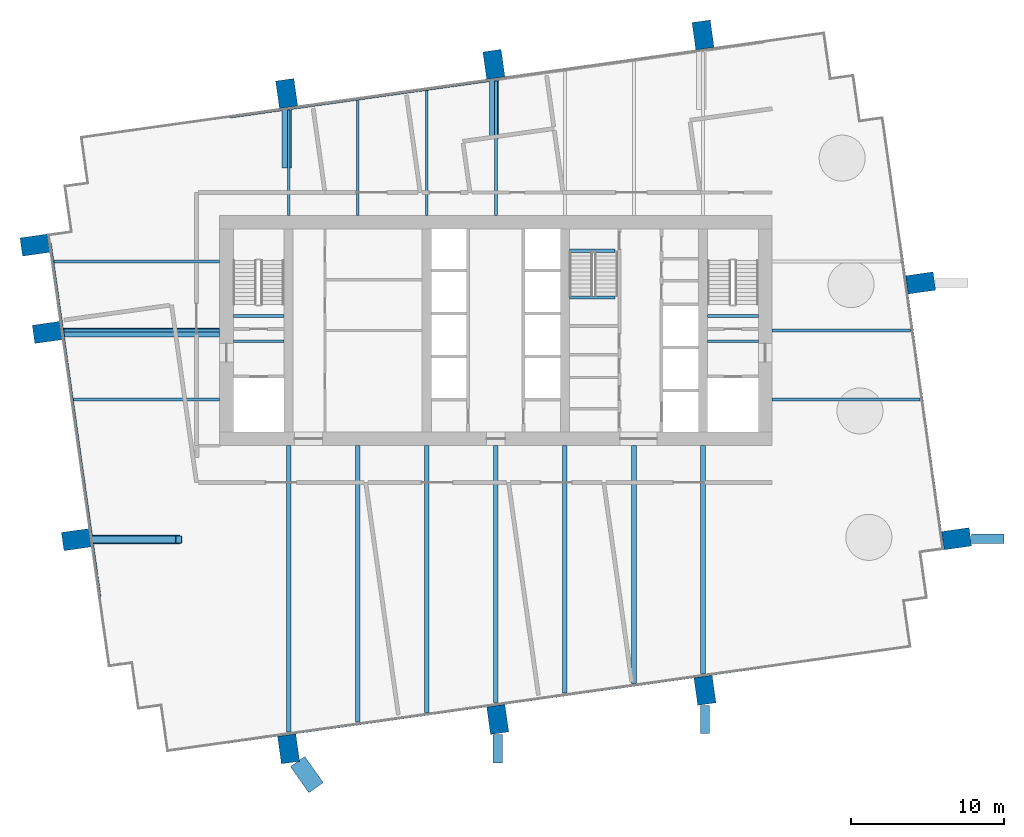
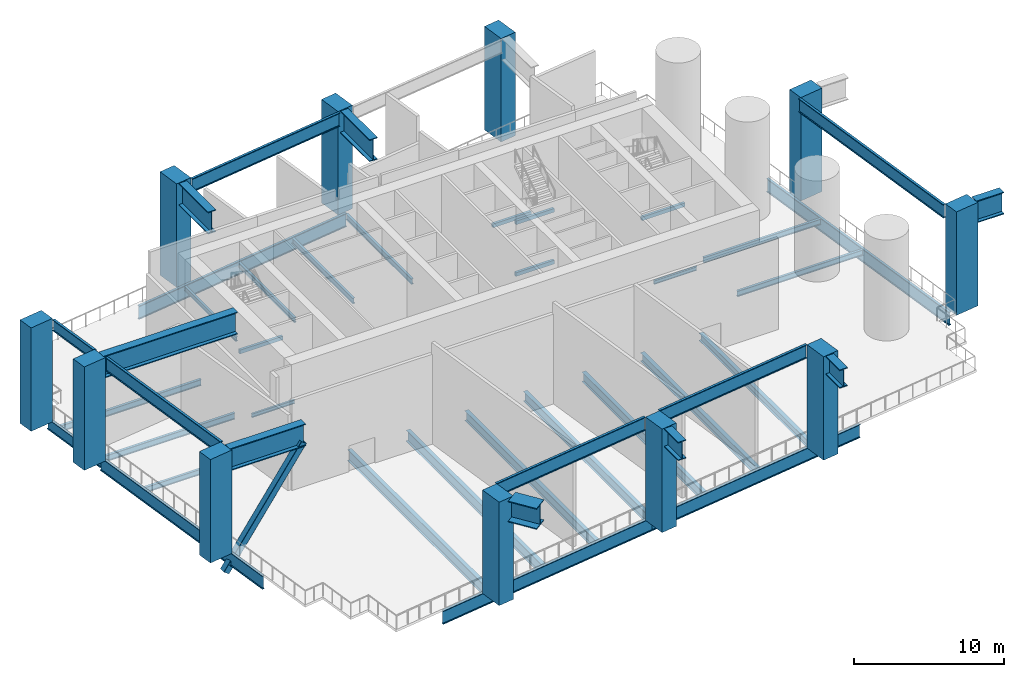
# One storey, part 1 of 13: 43 beams, 11 columns, 1 member.
"""IFC4 building model written with IfcOpenShell, lengths in metres."""

from ifc_helpers import new_model, si_unit, direction, frame, origin, origin_2d, place, context, subcontext, project, spatial, rectangle, hollow_rectangle, i_section, extrude, material, material_profile, profile_set, type_object, element, save


model = new_model("IFC4")

# Units and contexts
model_context = context("Model", 3, precision=1e-05, world=origin(), true_north=direction((0.0, 1.0)))
body_context = subcontext(model_context, "Body", "Model", "MODEL_VIEW")
ifc_project = project(units=[si_unit("LENGTHUNIT", "METRE"), si_unit("AREAUNIT", "SQUARE_METRE"), si_unit("VOLUMEUNIT", "CUBIC_METRE"), si_unit("PLANEANGLEUNIT", "RADIAN"), si_unit("MASSUNIT", "GRAM", prefix="KILO")], contexts=[model_context])

# Site, building, storey
site_placement = place(None, origin())
site = spatial("IfcSite", under=ifc_project, at=site_placement, CompositionType="ELEMENT")
building_placement = place(site_placement, origin())
building = spatial("IfcBuilding", under=site, at=building_placement, Name="Rattan Terrace Tower", CompositionType="ELEMENT")
storey_placement = place(building_placement, frame((0.0, 0.0, 199.699951171875)))
storey = spatial("IfcBuildingStorey", under=building, at=storey_placement, Name="L46", CompositionType="ELEMENT", Elevation=199.699951171875)

# Columns
ifc_material_1 = material(Name="Concrete C50/60", Category="concrete")
ifc_material_profile_1 = material_profile(ifc_material_1, rectangle(XDim=1.199951171875, YDim=1.800048828125, at=origin_2d()), Name="CFT 1800x1200")
ifc_profile_set_1 = profile_set([ifc_material_profile_1], Name="Concrete C50/60")
column_type = type_object("IfcColumnType", Name="Frame exoskeleton column CFT 1800x1200", PredefinedType="COLUMN", material=ifc_profile_set_1)
for number, where, z_axis, x_axis, name in (
    (1, (-13.5, -27.256103515625, -0.199951171875), (0.0, 0.0, 1.0), (0.99027049762, 0.139155817501, 0.0), "exo-L46-001"),
    (2, (0.125, -25.340087890625, -0.199951171875), (0.0, 0.0, 1.0), (0.99027049762, 0.139155817501, 0.0), "exo-L46-002"),
    (3, (13.625, -23.443115234375, -0.199951171875), (0.0, 0.0, 1.0), (0.99027049762, 0.139155817501, 0.0), "exo-L46-003"),
    (4, (-27.325927734375, -13.625, -0.199951171875), (0.0, 0.0, 1.0), (-0.139190384377, 0.990265639562, 0.0), "exo-L46-004"),
    (5, (30.02392578125, -13.56494140625, -0.199951171875), (0.0, 0.0, 1.0), (-0.139190384377, 0.990265639562, 0.0), "exo-L46-005"),
    (6, (-29.22412109375, -0.125, -0.199951171875), (0.0, 0.0, 1.0), (-0.139190384377, 0.990265639562, 0.0), "exo-L46-006"),
    (7, (27.680908203125, 3.10009765625, -0.199951171875), (0.0, 0.0, 1.0), (-0.139190384377, 0.990265639562, 0.0), "exo-L46-007"),
    (8, (-30.02392578125, 5.56494140625, -0.199951171875), (0.0, 0.0, 1.0), (-0.139190384377, 0.990265639562, 0.0), "exo-L46-008"),
    (9, (-13.625, 15.443115234375, -0.199951171875), (0.0, 0.0, 1.0), (0.99027049762, 0.139155817501, 0.0), "exo-L46-009"),
    (10, (-0.125, 17.340087890625, -0.199951171875), (0.0, 0.0, 1.0), (0.99027049762, 0.139155817501, 0.0), "exo-L46-010"),
    (11, (13.5, 19.256103515625, -0.199951171875), (0.0, 0.0, 1.0), (0.99027049762, 0.139155817501, 0.0), "exo-L46-011"),
):
    element("IfcColumn", number, at=place(storey_placement, frame(where, z_axis=z_axis, x_axis=x_axis)), inside=storey, type_object=column_type, Name=name, PredefinedType="COLUMN", context=body_context, shape_type="SweptSolid", body=[
        extrude(rectangle(XDim=1.199951171875, YDim=1.800048828125, at=origin_2d()), origin(), (0.0, 0.0, 1.0), 8.39990234375),
    ])

# Beams
ifc_material_2 = material(Name="Concrete C40/50", Category="concrete")
ifc_material_profile_2 = material_profile(ifc_material_2, rectangle(XDim=0.199951171875, YDim=0.300048828125, at=origin_2d()), Name="RC 200x300")
ifc_profile_set_2 = profile_set([ifc_material_profile_2], Name="Concrete C40/50")
beam_type_1 = type_object("IfcBeamType", Name="Core landing beam RC 200x300", PredefinedType="BEAM", material=ifc_profile_set_2)
for number, where, z_axis, x_axis, name in (
    (12, (-17.10009765625, 0.949951171875, 3.85009765625), (1.0, 0.0, 0.0), (0.0, 1.0, 0.0), "st-S1-L46 landing 2 edge beam"),
    (13, (13.800048828125, 0.949951171875, 3.85009765625), (1.0, 0.0, 0.0), (0.0, 1.0, 0.0), "st-S2-L46 landing 2 edge beam"),
):
    element("IfcBeam", number, at=place(storey_placement, frame(where, z_axis=z_axis, x_axis=x_axis)), inside=storey, type_object=beam_type_1, Name=name, PredefinedType="BEAM", context=body_context, shape_type="SweptSolid", body=[
        extrude(rectangle(XDim=0.199951171875, YDim=0.300048828125, at=origin_2d()), origin(), (0.0, 0.0, 1.0), 3.300048828125),
    ])
for number, where, z_axis, x_axis, name in (
    (14, (4.800048828125, 2.139892578125, 1.75), (1.0, 0.0, 0.0), (0.0, 1.0, 0.0), "st-S3-L46 landing 1 edge beam"),
    (15, (4.800048828125, 5.199951171875, 3.85009765625), (1.0, 0.0, 0.0), (0.0, 1.0, 0.0), "st-S3-L46 landing 2 edge beam"),
    (16, (4.800048828125, 2.139892578125, 5.949951171875), (1.0, 0.0, 0.0), (0.0, 1.0, 0.0), "st-S3-L46 landing 3 edge beam"),
):
    element("IfcBeam", number, at=place(storey_placement, frame(where, z_axis=z_axis, x_axis=x_axis)), inside=storey, type_object=beam_type_1, Name=name, PredefinedType="BEAM", context=body_context, shape_type="SweptSolid", body=[
        extrude(rectangle(XDim=0.199951171875, YDim=0.300048828125, at=origin_2d()), origin(), (0.0, 0.0, 1.0), 2.949951171875),
    ])
ifc_material_3 = material(Name="Steel S460", Category="steel")
ifc_material_profile_3 = material_profile(ifc_material_3, i_section(OverallWidth=0.179931640625, OverallDepth=1.10009765625, WebThickness=0.01611328125, FlangeThickness=0.050048828125, at=origin_2d()), Name="PG 1100x180-16-50")
ifc_profile_set_3 = profile_set([ifc_material_profile_3], Name="Steel S460")
beam_type_2 = type_object("IfcBeamType", Name="Frame edge girder PG 1100x180-16-50", PredefinedType="SPANDREL", material=ifc_profile_set_3)
beam_1_placement = place(storey_placement, frame((-17.4990234375, -26.818115234375, -0.75), z_axis=(0.990264173921, 0.139200811234, 0.0), x_axis=(-0.139200811234, 0.990264173921, 0.0)))
element("IfcBeam", 17, at=beam_1_placement, inside=storey, type_object=beam_type_2, Name="gdr-L46-001", PredefinedType="SPANDREL", context=body_context, shape_type="SweptSolid", body=[
    extrude(i_section(OverallWidth=0.179931640625, OverallDepth=1.10009765625, WebThickness=0.01611328125, FlangeThickness=0.050048828125, at=origin_2d()), origin(), (0.0, 0.0, 1.0), 17.657958984375),
])
beam_2_placement = place(storey_placement, frame((17.347900390625, -21.9208984375, -0.75), z_axis=(-0.990273554652, -0.139134061096, 0.0), x_axis=(0.139134061096, -0.990273554652, 0.0)))
element("IfcBeam", 18, at=beam_2_placement, inside=storey, type_object=beam_type_2, Name="gdr-L46-002", PredefinedType="SPANDREL", context=body_context, shape_type="SweptSolid", body=[
    extrude(i_section(OverallWidth=0.179931640625, OverallDepth=1.10009765625, WebThickness=0.01611328125, FlangeThickness=0.050048828125, at=origin_2d()), origin(), (0.0, 0.0, 1.0), 17.53125),
])
beam_3_placement = place(storey_placement, frame((-25.803955078125, -17.347900390625, -0.75), z_axis=(-0.13917502981, 0.990267797657, 0.0), x_axis=(-0.990267797657, -0.13917502981, 0.0)))
element("IfcBeam", 19, at=beam_3_placement, inside=storey, type_object=beam_type_2, Name="gdr-L46-003", PredefinedType="SPANDREL", context=body_context, shape_type="SweptSolid", body=[
    extrude(i_section(OverallWidth=0.179931640625, OverallDepth=1.10009765625, WebThickness=0.01611328125, FlangeThickness=0.050048828125, at=origin_2d()), origin(), (0.0, 0.0, 1.0), 17.531494140625),
])
beam_4_placement = place(storey_placement, frame((26.301025390625, 5.81201171875, -0.75), z_axis=(0.139187065437, -0.990266106062, 0.0), x_axis=(0.990266106062, 0.139187065437, 0.0)))
element("IfcBeam", 20, at=beam_4_placement, inside=storey, type_object=beam_type_2, Name="gdr-L46-005", PredefinedType="SPANDREL", context=body_context, shape_type="SweptSolid", body=[
    extrude(i_section(OverallWidth=0.179931640625, OverallDepth=1.10009765625, WebThickness=0.01611328125, FlangeThickness=0.050048828125, at=origin_2d()), origin(), (0.0, 0.0, 1.0), 19.706787109375),
])
beam_5_placement = place(storey_placement, frame((-17.347900390625, 13.9208984375, -0.75), z_axis=(0.990273554652, 0.139134061096, 0.0), x_axis=(-0.139134061096, 0.990273554652, 0.0)))
element("IfcBeam", 21, at=beam_5_placement, inside=storey, type_object=beam_type_2, Name="gdr-L46-006", PredefinedType="SPANDREL", context=body_context, shape_type="SweptSolid", body=[
    extrude(i_section(OverallWidth=0.179931640625, OverallDepth=1.10009765625, WebThickness=0.01611328125, FlangeThickness=0.050048828125, at=origin_2d()), origin(), (0.0, 0.0, 1.0), 17.53125),
])
ifc_material_4 = material(Name="Steel S460", Category="steel")
ifc_material_profile_4 = material_profile(ifc_material_4, i_section(OverallWidth=0.179931640625, OverallDepth=0.89990234375, WebThickness=0.013916015625, FlangeThickness=0.0400390625, at=origin_2d()), Name="PG 900x180-14-40")
ifc_profile_set_4 = profile_set([ifc_material_profile_4], Name="Steel S460")
beam_type_3 = type_object("IfcBeamType", Name="Frame edge girder PG 900x180-14-40", PredefinedType="SPANDREL", material=ifc_profile_set_4)
beam_6_placement = place(storey_placement, frame((-29.0439453125, 5.702880859375, -0.64990234375), z_axis=(0.139237904773, -0.990258958997, 0.0), x_axis=(0.990258958997, 0.139237904773, 0.0)))
element("IfcBeam", 22, at=beam_6_placement, inside=storey, type_object=beam_type_3, Name="gdr-L46-004", PredefinedType="SPANDREL", context=body_context, shape_type="SweptSolid", body=[
    extrude(i_section(OverallWidth=0.179931640625, OverallDepth=0.89990234375, WebThickness=0.013916015625, FlangeThickness=0.0400390625, at=origin_2d()), origin(), (0.0, 0.0, 1.0), 5.745849609375),
])

# Member
ifc_material_5 = material(Name="Steel S355", Category="steel")
ifc_material_profile_5 = material_profile(ifc_material_5, hollow_rectangle(XDim=0.5, YDim=0.5, WallThickness=0.02001953125, InnerFilletRadius=0.02001953125, OuterFilletRadius=0.0400390625, at=origin_2d()), Name="SHS 500x500x20")
ifc_profile_set_5 = profile_set([ifc_material_profile_5], Name="Steel S355")
member_type = type_object("IfcMemberType", Name="Frame exoskeleton strut SHS 500x500x20", PredefinedType="BRACE", material=ifc_profile_set_5)
member_placement = place(storey_placement, frame((-26.6220703125, -13.625, -1.829833984375), z_axis=(0.5736010679, 0.000470010708, 0.819134661697), x_axis=(-0.000819403199, 0.999999664289, 0.0)))
element("IfcMember", 23, at=member_placement, inside=storey, type_object=member_type, Name="str-L46-001", PredefinedType="BRACE", context=body_context, shape_type="SweptSolid", body=[
    extrude(hollow_rectangle(XDim=0.5, YDim=0.5, WallThickness=0.02001953125, InnerFilletRadius=0.02001953125, OuterFilletRadius=0.0400390625, at=origin_2d()), origin(), (0.0, 0.0, 1.0), 10.388671875),
])

# Beams
ifc_material_6 = material(Name="Steel S355", Category="steel")
ifc_material_profile_6 = material_profile(ifc_material_6, i_section(OverallWidth=0.300048828125, OverallDepth=0.60009765625, WebThickness=0.015380859375, FlangeThickness=0.030029296875, FilletRadius=0.027099609375, at=origin_2d()), Name="HE 600 B")
ifc_profile_set_6 = profile_set([ifc_material_profile_6], Name="Steel S355")
beam_type_4 = type_object("IfcBeamType", Name="Frame floor beam HE 600 B", PredefinedType="JOIST", material=ifc_profile_set_6)
beam_7_placement = place(storey_placement, frame((13.5, -22.35009765625, -0.5), z_axis=(0.0, 1.0, 0.0), x_axis=(-1.0, 0.0, 0.0)))
element("IfcBeam", 24, at=beam_7_placement, inside=storey, type_object=beam_type_4, Name="bm-L46-009", PredefinedType="JOIST", context=body_context, shape_type="SweptSolid", body=[
    extrude(i_section(OverallWidth=0.300048828125, OverallDepth=0.60009765625, WebThickness=0.015380859375, FlangeThickness=0.030029296875, FilletRadius=0.027099609375, at=origin_2d()), origin(), (0.0, 0.0, 1.0), 14.85009765625),
])
ifc_material_7 = material(Name="Steel S355", Category="steel")
ifc_material_profile_7 = material_profile(ifc_material_7, i_section(OverallWidth=0.300048828125, OverallDepth=0.699951171875, WebThickness=0.01708984375, FlangeThickness=0.031982421875, FilletRadius=0.027099609375, at=origin_2d()), Name="HE 700 B")
ifc_profile_set_7 = profile_set([ifc_material_profile_7], Name="Steel S355")
beam_type_5 = type_object("IfcBeamType", Name="Frame floor beam HE 700 B", PredefinedType="JOIST", material=ifc_profile_set_7)
beam_8_placement = place(storey_placement, frame((9.0, -22.98193359375, -0.550048828125), z_axis=(0.0, 1.0, 0.0), x_axis=(-1.0, 0.0, 0.0)))
element("IfcBeam", 25, at=beam_8_placement, inside=storey, type_object=beam_type_5, Name="bm-L46-008", PredefinedType="JOIST", context=body_context, shape_type="SweptSolid", body=[
    extrude(i_section(OverallWidth=0.300048828125, OverallDepth=0.699951171875, WebThickness=0.01708984375, FlangeThickness=0.031982421875, FilletRadius=0.027099609375, at=origin_2d()), origin(), (0.0, 0.0, 1.0), 15.48193359375),
])
ifc_material_8 = material(Name="Steel S355", Category="steel")
ifc_material_profile_8 = material_profile(ifc_material_8, i_section(OverallWidth=0.300048828125, OverallDepth=0.800048828125, WebThickness=0.017578125, FlangeThickness=0.032958984375, FilletRadius=0.030029296875, at=origin_2d()), Name="HE 800 B")
ifc_profile_set_8 = profile_set([ifc_material_profile_8], Name="Steel S355")
beam_type_6 = type_object("IfcBeamType", Name="Frame floor beam HE 800 B", PredefinedType="JOIST", material=ifc_profile_set_8)
beam_9_placement = place(storey_placement, frame((-4.5, -24.87890625, -0.599853515625), z_axis=(0.0, 1.0, 0.0), x_axis=(-1.0, 0.0, 0.0)))
element("IfcBeam", 26, at=beam_9_placement, inside=storey, type_object=beam_type_6, Name="bm-L46-005", PredefinedType="JOIST", context=body_context, shape_type="SweptSolid", body=[
    extrude(i_section(OverallWidth=0.300048828125, OverallDepth=0.800048828125, WebThickness=0.017578125, FlangeThickness=0.032958984375, FilletRadius=0.030029296875, at=origin_2d()), origin(), (0.0, 0.0, 1.0), 17.37890625),
])
beam_10_placement = place(storey_placement, frame((0.0, -24.24609375, -0.599853515625), z_axis=(0.0, 1.0, 0.0), x_axis=(-1.0, 0.0, 0.0)))
element("IfcBeam", 27, at=beam_10_placement, inside=storey, type_object=beam_type_6, Name="bm-L46-006", PredefinedType="JOIST", context=body_context, shape_type="SweptSolid", body=[
    extrude(i_section(OverallWidth=0.300048828125, OverallDepth=0.800048828125, WebThickness=0.017578125, FlangeThickness=0.032958984375, FilletRadius=0.030029296875, at=origin_2d()), origin(), (0.0, 0.0, 1.0), 16.74609375),
])
beam_11_placement = place(storey_placement, frame((4.5, -23.614013671875, -0.599853515625), z_axis=(0.0, 1.0, 0.0), x_axis=(-1.0, 0.0, 0.0)))
element("IfcBeam", 28, at=beam_11_placement, inside=storey, type_object=beam_type_6, Name="bm-L46-007", PredefinedType="JOIST", context=body_context, shape_type="SweptSolid", body=[
    extrude(i_section(OverallWidth=0.300048828125, OverallDepth=0.800048828125, WebThickness=0.017578125, FlangeThickness=0.032958984375, FilletRadius=0.030029296875, at=origin_2d()), origin(), (0.0, 0.0, 1.0), 16.114013671875),
])
ifc_material_9 = material(Name="Steel S355", Category="steel")
ifc_material_profile_9 = material_profile(ifc_material_9, i_section(OverallWidth=0.300048828125, OverallDepth=0.89990234375, WebThickness=0.0185546875, FlangeThickness=0.034912109375, FilletRadius=0.030029296875, at=origin_2d()), Name="HE 900 B")
ifc_profile_set_9 = profile_set([ifc_material_profile_9], Name="Steel S355")
beam_type_7 = type_object("IfcBeamType", Name="Frame floor beam HE 900 B", PredefinedType="JOIST", material=ifc_profile_set_9)
beam_12_placement = place(storey_placement, frame((-13.5, -26.14404296875, -0.64990234375), z_axis=(0.0, 1.0, 0.0), x_axis=(-1.0, 0.0, 0.0)))
element("IfcBeam", 29, at=beam_12_placement, inside=storey, type_object=beam_type_7, Name="bm-L46-003", PredefinedType="JOIST", context=body_context, shape_type="SweptSolid", body=[
    extrude(i_section(OverallWidth=0.300048828125, OverallDepth=0.89990234375, WebThickness=0.0185546875, FlangeThickness=0.034912109375, FilletRadius=0.030029296875, at=origin_2d()), origin(), (0.0, 0.0, 1.0), 18.64404296875),
])
beam_13_placement = place(storey_placement, frame((-9.0, -25.510986328125, -0.64990234375), z_axis=(0.0, 1.0, 0.0), x_axis=(-1.0, 0.0, 0.0)))
element("IfcBeam", 30, at=beam_13_placement, inside=storey, type_object=beam_type_7, Name="bm-L46-004", PredefinedType="JOIST", context=body_context, shape_type="SweptSolid", body=[
    extrude(i_section(OverallWidth=0.300048828125, OverallDepth=0.89990234375, WebThickness=0.0185546875, FlangeThickness=0.034912109375, FilletRadius=0.030029296875, at=origin_2d()), origin(), (0.0, 0.0, 1.0), 18.010986328125),
])
ifc_material_10 = material(Name="Steel S355", Category="steel")
ifc_material_profile_10 = material_profile(ifc_material_10, i_section(OverallWidth=0.14990234375, OverallDepth=0.300048828125, WebThickness=0.007080078125, FlangeThickness=0.0107421875, FilletRadius=0.014892578125, at=origin_2d()), Name="IPE 300")
ifc_profile_set_10 = profile_set([ifc_material_profile_10], Name="Steel S355")
beam_type_8 = type_object("IfcBeamType", Name="Frame floor beam IPE 300", PredefinedType="JOIST", material=ifc_profile_set_10)
for number, where, z_axis, x_axis, name in (
    (31, (-17.10009765625, -0.695068359375, -0.349853515625), (1.0, 0.0, 0.0), (0.0, 1.0, 0.0), "bm-L46-001"),
    (32, (13.800048828125, -0.695068359375, -0.349853515625), (1.0, 0.0, 0.0), (0.0, 1.0, 0.0), "bm-L46-002"),
):
    element("IfcBeam", number, at=place(storey_placement, frame(where, z_axis=z_axis, x_axis=x_axis)), inside=storey, type_object=beam_type_8, Name=name, PredefinedType="JOIST", context=body_context, shape_type="SweptSolid", body=[
        extrude(i_section(OverallWidth=0.14990234375, OverallDepth=0.300048828125, WebThickness=0.007080078125, FlangeThickness=0.0107421875, FilletRadius=0.014892578125, at=origin_2d()), origin(), (0.0, 0.0, 1.0), 3.300048828125),
    ])
ifc_material_11 = material(Name="Steel S355", Category="steel")
ifc_material_profile_11 = material_profile(ifc_material_11, i_section(OverallWidth=0.169921875, OverallDepth=0.360107421875, WebThickness=0.008056640625, FlangeThickness=0.0126953125, FilletRadius=0.01806640625, at=origin_2d()), Name="IPE 360")
ifc_profile_set_11 = profile_set([ifc_material_profile_11], Name="Steel S355")
beam_type_9 = type_object("IfcBeamType", Name="Frame floor beam IPE 360", PredefinedType="JOIST", material=ifc_profile_set_11)
beam_14_placement = place(storey_placement, frame((-13.5, 7.5, -0.3798828125), z_axis=(0.0, 1.0, 0.0), x_axis=(-1.0, 0.0, 0.0)))
element("IfcBeam", 33, at=beam_14_placement, inside=storey, type_object=beam_type_9, Name="bm-L46-016", PredefinedType="JOIST", context=body_context, shape_type="SweptSolid", body=[
    extrude(i_section(OverallWidth=0.169921875, OverallDepth=0.360107421875, WebThickness=0.008056640625, FlangeThickness=0.0126953125, FilletRadius=0.01806640625, at=origin_2d()), origin(), (0.0, 0.0, 1.0), 6.85888671875),
])
ifc_material_12 = material(Name="Steel S355", Category="steel")
ifc_material_profile_12 = material_profile(ifc_material_12, i_section(OverallWidth=0.179931640625, OverallDepth=0.39990234375, WebThickness=0.008544921875, FlangeThickness=0.013427734375, FilletRadius=0.02099609375, at=origin_2d()), Name="IPE 400")
ifc_profile_set_12 = profile_set([ifc_material_profile_12], Name="Steel S355")
beam_type_10 = type_object("IfcBeamType", Name="Frame floor beam IPE 400", PredefinedType="JOIST", material=ifc_profile_set_12)
beam_15_placement = place(storey_placement, frame((-9.0, 7.5, -0.39990234375), z_axis=(0.0, 1.0, 0.0), x_axis=(-1.0, 0.0, 0.0)))
element("IfcBeam", 34, at=beam_15_placement, inside=storey, type_object=beam_type_10, Name="bm-L46-017", PredefinedType="JOIST", context=body_context, shape_type="SweptSolid", body=[
    extrude(i_section(OverallWidth=0.179931640625, OverallDepth=0.39990234375, WebThickness=0.008544921875, FlangeThickness=0.013427734375, FilletRadius=0.02099609375, at=origin_2d()), origin(), (0.0, 0.0, 1.0), 7.489990234375),
])
ifc_material_13 = material(Name="Steel S355", Category="steel")
ifc_material_profile_13 = material_profile(ifc_material_13, i_section(OverallWidth=0.18994140625, OverallDepth=0.449951171875, WebThickness=0.009521484375, FlangeThickness=0.0146484375, FilletRadius=0.02099609375, at=origin_2d()), Name="IPE 450")
ifc_profile_set_13 = profile_set([ifc_material_profile_13], Name="Steel S355")
beam_type_11 = type_object("IfcBeamType", Name="Frame floor beam IPE 450", PredefinedType="JOIST", material=ifc_profile_set_13)
beam_16_placement = place(storey_placement, frame((-27.5048828125, -4.5, -0.425048828125), z_axis=(1.0, 0.0, 0.0), x_axis=(0.0, 1.0, 0.0)))
element("IfcBeam", 35, at=beam_16_placement, inside=storey, type_object=beam_type_11, Name="bm-L46-010", PredefinedType="JOIST", context=body_context, shape_type="SweptSolid", body=[
    extrude(i_section(OverallWidth=0.18994140625, OverallDepth=0.449951171875, WebThickness=0.009521484375, FlangeThickness=0.0146484375, FilletRadius=0.02099609375, at=origin_2d()), origin(), (0.0, 0.0, 1.0), 9.5048828125),
])
beam_17_placement = place(storey_placement, frame((18.0, -4.5, -0.425048828125), z_axis=(1.0, 0.0, 0.0), x_axis=(0.0, 1.0, 0.0)))
element("IfcBeam", 36, at=beam_17_placement, inside=storey, type_object=beam_type_11, Name="bm-L46-011", PredefinedType="JOIST", context=body_context, shape_type="SweptSolid", body=[
    extrude(i_section(OverallWidth=0.18994140625, OverallDepth=0.449951171875, WebThickness=0.009521484375, FlangeThickness=0.0146484375, FilletRadius=0.02099609375, at=origin_2d()), origin(), (0.0, 0.0, 1.0), 9.64599609375),
])
beam_18_placement = place(storey_placement, frame((18.0, 0.0, -0.425048828125), z_axis=(1.0, 0.0, 0.0), x_axis=(0.0, 1.0, 0.0)))
element("IfcBeam", 37, at=beam_18_placement, inside=storey, type_object=beam_type_11, Name="bm-L46-013", PredefinedType="JOIST", context=body_context, shape_type="SweptSolid", body=[
    extrude(i_section(OverallWidth=0.18994140625, OverallDepth=0.449951171875, WebThickness=0.009521484375, FlangeThickness=0.0146484375, FilletRadius=0.02099609375, at=origin_2d()), origin(), (0.0, 0.0, 1.0), 9.013916015625),
])
beam_19_placement = place(storey_placement, frame((-4.5, 7.5, -0.425048828125), z_axis=(0.0, 1.0, 0.0), x_axis=(-1.0, 0.0, 0.0)))
element("IfcBeam", 38, at=beam_19_placement, inside=storey, type_object=beam_type_11, Name="bm-L46-018", PredefinedType="JOIST", context=body_context, shape_type="SweptSolid", body=[
    extrude(i_section(OverallWidth=0.18994140625, OverallDepth=0.449951171875, WebThickness=0.009521484375, FlangeThickness=0.0146484375, FilletRadius=0.02099609375, at=origin_2d()), origin(), (0.0, 0.0, 1.0), 8.1220703125),
])
beam_20_placement = place(storey_placement, frame((0.0, 7.5, -0.425048828125), z_axis=(0.0, 1.0, 0.0), x_axis=(-1.0, 0.0, 0.0)))
element("IfcBeam", 39, at=beam_20_placement, inside=storey, type_object=beam_type_11, Name="bm-L46-019", PredefinedType="JOIST", context=body_context, shape_type="SweptSolid", body=[
    extrude(i_section(OverallWidth=0.18994140625, OverallDepth=0.449951171875, WebThickness=0.009521484375, FlangeThickness=0.0146484375, FilletRadius=0.02099609375, at=origin_2d()), origin(), (0.0, 0.0, 1.0), 8.75390625),
])
ifc_material_14 = material(Name="Steel S355", Category="steel")
ifc_material_profile_14 = material_profile(ifc_material_14, i_section(OverallWidth=0.199951171875, OverallDepth=0.5, WebThickness=0.01025390625, FlangeThickness=0.01611328125, FilletRadius=0.02099609375, at=origin_2d()), Name="IPE 500")
ifc_profile_set_14 = profile_set([ifc_material_profile_14], Name="Steel S355")
beam_type_12 = type_object("IfcBeamType", Name="Frame floor beam IPE 500", PredefinedType="JOIST", material=ifc_profile_set_14)
beam_21_placement = place(storey_placement, frame((-28.136962890625, 0.0, -0.449951171875), z_axis=(1.0, 0.0, 0.0), x_axis=(0.0, 1.0, 0.0)))
element("IfcBeam", 40, at=beam_21_placement, inside=storey, type_object=beam_type_12, Name="bm-L46-012", PredefinedType="JOIST", context=body_context, shape_type="SweptSolid", body=[
    extrude(i_section(OverallWidth=0.199951171875, OverallDepth=0.5, WebThickness=0.01025390625, FlangeThickness=0.01611328125, FilletRadius=0.02099609375, at=origin_2d()), origin(), (0.0, 0.0, 1.0), 10.136962890625),
])
beam_22_placement = place(storey_placement, frame((-28.77001953125, 4.5, -0.449951171875), z_axis=(1.0, 0.0, 0.0), x_axis=(0.0, 1.0, 0.0)))
element("IfcBeam", 41, at=beam_22_placement, inside=storey, type_object=beam_type_12, Name="bm-L46-014", PredefinedType="JOIST", context=body_context, shape_type="SweptSolid", body=[
    extrude(i_section(OverallWidth=0.199951171875, OverallDepth=0.5, WebThickness=0.01025390625, FlangeThickness=0.01611328125, FilletRadius=0.02099609375, at=origin_2d()), origin(), (0.0, 0.0, 1.0), 10.77001953125),
])
ifc_material_15 = material(Name="Steel S460", Category="steel")
ifc_material_profile_15 = material_profile(ifc_material_15, i_section(OverallWidth=0.179931640625, OverallDepth=1.10009765625, WebThickness=0.01611328125, FlangeThickness=0.050048828125, at=origin_2d()), Name="PG 1100x180-16-50")
ifc_profile_set_15 = profile_set([ifc_material_profile_15], Name="Steel S460")
beam_type_13 = type_object("IfcBeamType", Name="Frame transfer girder PG 1100x180-16-50", PredefinedType="USERDEFINED", material=ifc_profile_set_15)
beam_23_placement = place(storey_placement, frame((28.9599609375, -13.10791015625, 7.650146484375), z_axis=(-0.139238315586, 0.990258901234, 0.0), x_axis=(-0.990258901234, -0.139238315586, 0.0)))
element("IfcBeam", 42, at=beam_23_placement, inside=storey, type_object=beam_type_13, Name="trf-L46-001", ObjectType="TRANSFER GIRDER", PredefinedType="USERDEFINED", context=body_context, shape_type="SweptSolid", body=[
    extrude(i_section(OverallWidth=0.179931640625, OverallDepth=1.10009765625, WebThickness=0.01611328125, FlangeThickness=0.050048828125, at=origin_2d()), origin(), (0.0, 0.0, 1.0), 15.628173828125),
])
beam_24_placement = place(storey_placement, frame((-0.58203125, 16.27587890625, 7.650146484375), z_axis=(-0.990270537264, -0.13915553538, 0.0), x_axis=(0.13915553538, -0.990270537264, 0.0)))
element("IfcBeam", 43, at=beam_24_placement, inside=storey, type_object=beam_type_13, Name="trf-L46-003", ObjectType="TRANSFER GIRDER", PredefinedType="USERDEFINED", context=body_context, shape_type="SweptSolid", body=[
    extrude(i_section(OverallWidth=0.179931640625, OverallDepth=1.10009765625, WebThickness=0.01611328125, FlangeThickness=0.050048828125, at=origin_2d()), origin(), (0.0, 0.0, 1.0), 12.431884765625),
])
beam_25_placement = place(storey_placement, frame((-28.159912109375, -0.58203125, 7.650146484375), z_axis=(0.139232565384, -0.990259709741, 0.0), x_axis=(0.990259709741, 0.139232565384, 0.0)))
element("IfcBeam", 44, at=beam_25_placement, inside=storey, type_object=beam_type_13, Name="trf-L46-005", ObjectType="TRANSFER GIRDER", PredefinedType="USERDEFINED", context=body_context, shape_type="SweptSolid", body=[
    extrude(i_section(OverallWidth=0.179931640625, OverallDepth=1.10009765625, WebThickness=0.01611328125, FlangeThickness=0.050048828125, at=origin_2d()), origin(), (0.0, 0.0, 1.0), 12.43212890625),
])
beam_26_placement = place(storey_placement, frame((-13.04296875, -26.19189453125, 7.650146484375), z_axis=(0.990256997708, 0.139251852734, 0.0), x_axis=(-0.139251852734, 0.990256997708, 0.0)))
element("IfcBeam", 45, at=beam_26_placement, inside=storey, type_object=beam_type_13, Name="trf-L46-006", ObjectType="TRANSFER GIRDER", PredefinedType="USERDEFINED", context=body_context, shape_type="SweptSolid", body=[
    extrude(i_section(OverallWidth=0.179931640625, OverallDepth=1.10009765625, WebThickness=0.01611328125, FlangeThickness=0.050048828125, at=origin_2d()), origin(), (0.0, 0.0, 1.0), 12.558349609375),
])
beam_27_placement = place(storey_placement, frame((0.58203125, -24.27587890625, 7.650146484375), z_axis=(0.990270537264, 0.13915553538, 0.0), x_axis=(-0.13915553538, 0.990270537264, 0.0)))
element("IfcBeam", 46, at=beam_27_placement, inside=storey, type_object=beam_type_13, Name="trf-L46-007", ObjectType="TRANSFER GIRDER", PredefinedType="USERDEFINED", context=body_context, shape_type="SweptSolid", body=[
    extrude(i_section(OverallWidth=0.179931640625, OverallDepth=1.10009765625, WebThickness=0.01611328125, FlangeThickness=0.050048828125, at=origin_2d()), origin(), (0.0, 0.0, 1.0), 12.431884765625),
])
ifc_material_16 = material(Name="Steel S460", Category="steel")
ifc_material_profile_16 = material_profile(ifc_material_16, i_section(OverallWidth=0.60009765625, OverallDepth=1.5, WebThickness=0.0400390625, FlangeThickness=0.070068359375, at=origin_2d()), Name="PG 1500x600-40-70")
ifc_profile_set_16 = profile_set([ifc_material_profile_16], Name="Steel S460")
beam_type_14 = type_object("IfcBeamType", Name="Frame transfer girder PG 1500x600-40-70", PredefinedType="USERDEFINED", material=ifc_profile_set_16)
beam_28_placement = place(storey_placement, frame((0.1201171875, -28.166015625, 7.449951171875), z_axis=(0.0, 1.0, 0.0), x_axis=(-1.0, 0.0, 0.0)))
element("IfcBeam", 47, at=beam_28_placement, inside=storey, type_object=beam_type_14, Name="trf-L46-015", ObjectType="TRANSFER GIRDER", PredefinedType="USERDEFINED", context=body_context, shape_type="SweptSolid", body=[
    extrude(i_section(OverallWidth=0.60009765625, OverallDepth=1.5, WebThickness=0.0400390625, FlangeThickness=0.070068359375, at=origin_2d()), origin(), (0.0, 0.0, 1.0), 1.85107421875),
])
beam_29_placement = place(storey_placement, frame((13.6201171875, -26.26806640625, 7.449951171875), z_axis=(0.0, 1.0, 0.0), x_axis=(-1.0, 0.0, 0.0)))
element("IfcBeam", 48, at=beam_29_placement, inside=storey, type_object=beam_type_14, Name="trf-L46-017", ObjectType="TRANSFER GIRDER", PredefinedType="USERDEFINED", context=body_context, shape_type="SweptSolid", body=[
    extrude(i_section(OverallWidth=0.60009765625, OverallDepth=1.5, WebThickness=0.0400390625, FlangeThickness=0.070068359375, at=origin_2d()), origin(), (0.0, 0.0, 1.0), 1.85009765625),
])
ifc_material_17 = material(Name="Steel S460", Category="steel")
ifc_material_profile_17 = material_profile(ifc_material_17, i_section(OverallWidth=1.14794921875, OverallDepth=1.699951171875, WebThickness=0.0400390625, FlangeThickness=0.070068359375, at=origin_2d()), Name="PG 1700x1148-40-70")
ifc_profile_set_17 = profile_set([ifc_material_profile_17], Name="Steel S460")
beam_type_15 = type_object("IfcBeamType", Name="Frame transfer girder PG 1700x1148-40-70", PredefinedType="USERDEFINED", material=ifc_profile_set_17)
beam_30_placement = place(storey_placement, frame((-12.9150390625, -28.0830078125, 7.35009765625), z_axis=(0.578007585748, -0.816031390828, 0.0), x_axis=(0.816031390828, 0.578007585748, 0.0)))
element("IfcBeam", 49, at=beam_30_placement, inside=storey, type_object=beam_type_15, Name="trf-L46-012", ObjectType="TRANSFER GIRDER", PredefinedType="USERDEFINED", context=body_context, shape_type="SweptSolid", body=[
    extrude(i_section(OverallWidth=1.14794921875, OverallDepth=1.699951171875, WebThickness=0.0400390625, FlangeThickness=0.070068359375, at=origin_2d()), origin(), (0.0, 0.0, 1.0), 2.083251953125),
])
ifc_material_18 = material(Name="Steel S460", Category="steel")
ifc_material_profile_18 = material_profile(ifc_material_18, i_section(OverallWidth=0.60009765625, OverallDepth=1.800048828125, WebThickness=0.0400390625, FlangeThickness=0.070068359375, at=origin_2d()), Name="PG 1800x600-40-70")
ifc_profile_set_18 = profile_set([ifc_material_profile_18], Name="Steel S460")
beam_type_16 = type_object("IfcBeamType", Name="Frame transfer girder PG 1800x600-40-70", PredefinedType="USERDEFINED", material=ifc_profile_set_18)
beam_31_placement = place(storey_placement, frame((-28.31494140625, -0.1201171875, 7.300048828125), z_axis=(1.0, 0.0, 0.0), x_axis=(0.0, 1.0, 0.0)))
element("IfcBeam", 50, at=beam_31_placement, inside=storey, type_object=beam_type_16, Name="trf-L46-008", ObjectType="TRANSFER GIRDER", PredefinedType="USERDEFINED", context=body_context, shape_type="SweptSolid", body=[
    extrude(i_section(OverallWidth=0.60009765625, OverallDepth=1.800048828125, WebThickness=0.0400390625, FlangeThickness=0.070068359375, at=origin_2d()), origin(), (0.0, 0.0, 1.0), 10.31494140625),
])
beam_32_placement = place(storey_placement, frame((30.9990234375, -13.56005859375, 7.300048828125), z_axis=(1.0, 0.0, 0.0), x_axis=(0.0, 1.0, 0.0)))
element("IfcBeam", 51, at=beam_32_placement, inside=storey, type_object=beam_type_16, Name="trf-L46-009", ObjectType="TRANSFER GIRDER", PredefinedType="USERDEFINED", context=body_context, shape_type="SweptSolid", body=[
    extrude(i_section(OverallWidth=0.60009765625, OverallDepth=1.800048828125, WebThickness=0.0400390625, FlangeThickness=0.070068359375, at=origin_2d()), origin(), (0.0, 0.0, 1.0), 2.10888671875),
])
beam_33_placement = place(storey_placement, frame((-26.4169921875, -13.6201171875, 7.300048828125), z_axis=(1.0, 0.0, 0.0), x_axis=(0.0, 1.0, 0.0)))
element("IfcBeam", 52, at=beam_33_placement, inside=storey, type_object=beam_type_16, Name="trf-L46-010", ObjectType="TRANSFER GIRDER", PredefinedType="USERDEFINED", context=body_context, shape_type="SweptSolid", body=[
    extrude(i_section(OverallWidth=0.60009765625, OverallDepth=1.800048828125, WebThickness=0.0400390625, FlangeThickness=0.070068359375, at=origin_2d()), origin(), (0.0, 0.0, 1.0), 5.85400390625),
])
beam_34_placement = place(storey_placement, frame((-0.1201171875, 12.489990234375, 7.300048828125), z_axis=(0.0, 1.0, 0.0), x_axis=(-1.0, 0.0, 0.0)))
element("IfcBeam", 53, at=beam_34_placement, inside=storey, type_object=beam_type_16, Name="trf-L46-013", ObjectType="TRANSFER GIRDER", PredefinedType="USERDEFINED", context=body_context, shape_type="SweptSolid", body=[
    extrude(i_section(OverallWidth=0.60009765625, OverallDepth=1.800048828125, WebThickness=0.0400390625, FlangeThickness=0.070068359375, at=origin_2d()), origin(), (0.0, 0.0, 1.0), 3.875),
])
beam_35_placement = place(storey_placement, frame((-13.6201171875, 10.592041015625, 7.300048828125), z_axis=(0.0, 1.0, 0.0), x_axis=(-1.0, 0.0, 0.0)))
element("IfcBeam", 54, at=beam_35_placement, inside=storey, type_object=beam_type_16, Name="trf-L46-014", ObjectType="TRANSFER GIRDER", PredefinedType="USERDEFINED", context=body_context, shape_type="SweptSolid", body=[
    extrude(i_section(OverallWidth=0.60009765625, OverallDepth=1.800048828125, WebThickness=0.0400390625, FlangeThickness=0.070068359375, at=origin_2d()), origin(), (0.0, 0.0, 1.0), 3.8759765625),
])
ifc_material_19 = material(Name="Steel S460", Category="steel")
ifc_material_profile_19 = material_profile(ifc_material_19, i_section(OverallWidth=0.179931640625, OverallDepth=0.89990234375, WebThickness=0.013916015625, FlangeThickness=0.0400390625, at=origin_2d()), Name="PG 900x180-14-40")
ifc_profile_set_19 = profile_set([ifc_material_profile_19], Name="Steel S460")
beam_type_17 = type_object("IfcBeamType", Name="Frame transfer girder PG 900x180-14-40", PredefinedType="USERDEFINED", material=ifc_profile_set_19)
beam_36_placement = place(storey_placement, frame((-28.9599609375, 5.10791015625, 7.650146484375), z_axis=(0.139277875111, -0.990253338043, 0.0), x_axis=(0.990253338043, 0.139277875111, 0.0)))
element("IfcBeam", 55, at=beam_36_placement, inside=storey, type_object=beam_type_17, Name="trf-L46-004", ObjectType="TRANSFER GIRDER", PredefinedType="USERDEFINED", context=body_context, shape_type="SweptSolid", body=[
    extrude(i_section(OverallWidth=0.179931640625, OverallDepth=0.89990234375, WebThickness=0.013916015625, FlangeThickness=0.0400390625, at=origin_2d()), origin(), (0.0, 0.0, 1.0), 4.545166015625),
])

save(model, "model.ifc")
